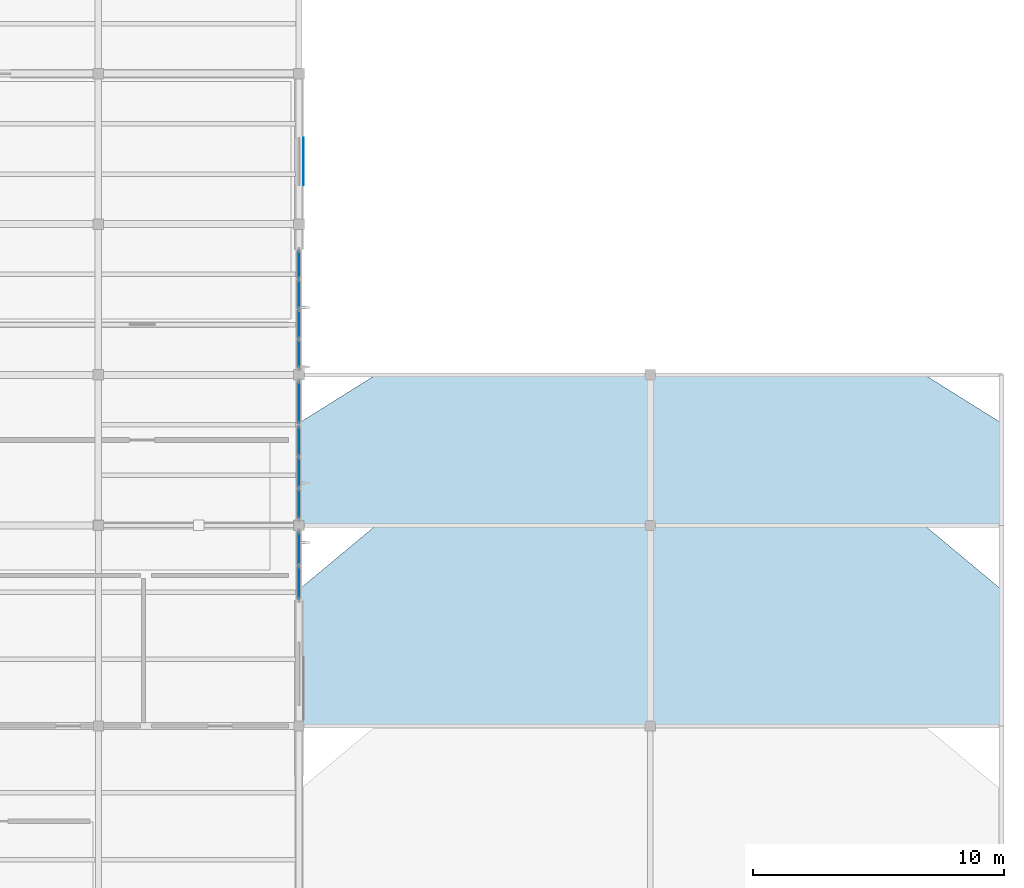
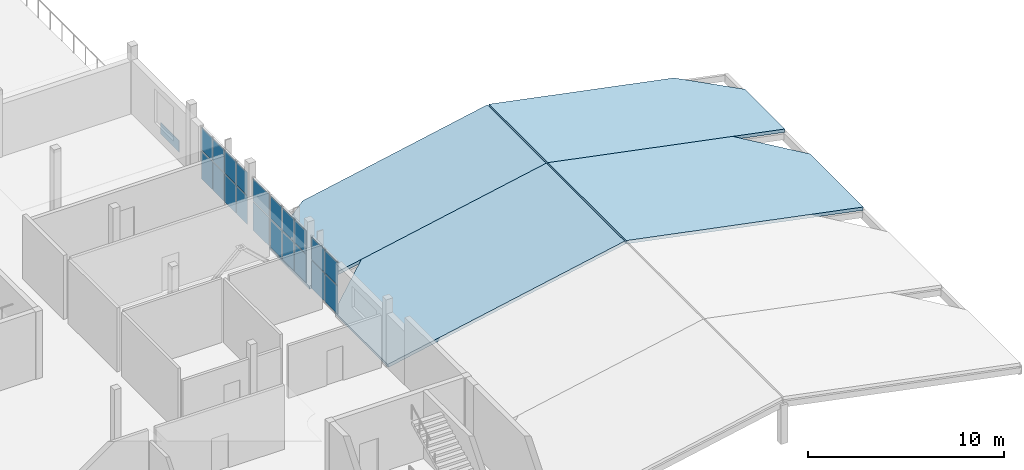
# One storey, part 31 of 45: 21 plates, 4 slabs, 4 elements without a shape of their own.
"""IFC4 building model written with IfcOpenShell, lengths in metres."""

from ifc_helpers import new_model, si_unit, direction, frame, origin, origin_2d, place, context, subcontext, project, spatial, polyline, rectangle, outline, extrude, material, layer, layer_set, type_object, element, aggregate, save


model = new_model("IFC4")

# Units and contexts
model_context = context("Model", 3, precision=1e-05, world=origin(), true_north=direction((0.0, 1.0)))
body_context = subcontext(model_context, "Body", "Model", "MODEL_VIEW")
ifc_project = project(units=[si_unit("LENGTHUNIT", "METRE"), si_unit("AREAUNIT", "SQUARE_METRE"), si_unit("VOLUMEUNIT", "CUBIC_METRE"), si_unit("PLANEANGLEUNIT", "RADIAN"), si_unit("MASSUNIT", "GRAM", prefix="KILO")], contexts=[model_context])

# Site, building, storey
site_placement = place(None, origin())
site = spatial("IfcSite", under=ifc_project, at=site_placement, CompositionType="ELEMENT")
building_placement = place(site_placement, origin())
building = spatial("IfcBuilding", under=site, at=building_placement, Name="Solvane Community Centre", CompositionType="ELEMENT")
storey_placement = place(building_placement, frame((0.0, 0.0, 13.800048828125)))
storey = spatial("IfcBuildingStorey", under=building, at=storey_placement, Name="L03", CompositionType="ELEMENT", Elevation=13.800048828125)

# Plate
ifc_material_1 = material(Name="Anodised bronze aluminium AW-6063 T6", Category="aluminium")
ifc_layer_1 = layer(ifc_material_1, 0.02392578125)
ifc_layer_set_1 = layer_set([ifc_layer_1], Name="Anodised bronze aluminium AW-6063 T6")
plate_type_1 = type_object("IfcPlateType", Name="Bronze Spandrel Cassette 24mm", PredefinedType="SHEET", material=ifc_layer_set_1)
plate_1_placement = place(storey_placement, frame((140.18701171875, 44.5, 0.06005859375), z_axis=(0.0, 0.0, 1.0), x_axis=(0.0, -1.0, 0.0)))
element("IfcPlate", 1, at=plate_1_placement, inside=storey, type_object=plate_type_1, Name="Art Deco Spandrel SPC-L03-048", PredefinedType="SHEET", context=body_context, shape_type="SweptSolid", body=[
    extrude(rectangle(XDim=1.89990234375, YDim=0.02392578125, at=origin_2d()), origin(), (0.0, 0.0, 1.0), 0.719970703125),
])

# Curtain wall, plates
ifc_layer_2 = layer(ifc_material_1, 0.199951171875)
ifc_layer_set_2 = layer_set([ifc_layer_2], Name="Anodised bronze aluminium AW-6063 T6")
curtain_wall_type_1 = type_object("IfcCurtainWallType", Name="Courtyard Cloister Curtain Wall [18x33dm]", PredefinedType="NOTDEFINED", material=ifc_layer_set_2)
curtain_wall_1_placement = place(storey_placement, origin())
curtain_wall_1 = element("IfcCurtainWall", 2, at=curtain_wall_1_placement, inside=storey, type_object=curtain_wall_type_1, Name="Curtain Wall CW-L03-1400_358-228", PredefinedType="NOTDEFINED")
ifc_material_2 = material(Name="Tempered low-E double glazing", Category="glass")
ifc_layer_3 = layer(ifc_material_2, 0.028076171875)
ifc_layer_set_3 = layer_set([ifc_layer_3], Name="Tempered low-E double glazing")
plate_type_2 = type_object("IfcPlateType", Name="Cloister Vision Glazing Panel 28mm [18x33dm]", PredefinedType="CURTAIN_PANEL", material=ifc_layer_set_3)
plate_2_placement = place(storey_placement, frame((140.0, 34.887451171875, 0.06005859375), z_axis=(0.0, 0.0, 1.0), x_axis=(0.0, -1.0, 0.0)))
plate_2 = element("IfcPlate", 3, at=plate_2_placement, type_object=plate_type_2, Name="CW03-18x33 panel 1.1", PredefinedType="CURTAIN_PANEL", context=body_context, shape_type="SweptSolid", body=[
    extrude(rectangle(XDim=1.655029296875, YDim=0.028076171875, at=origin_2d()), origin(), (0.0, 0.0, 1.0), 1.75),
])
plate_3_placement = place(storey_placement, frame((140.0, 34.887451171875, 1.869873046875), z_axis=(0.0, 0.0, 1.0), x_axis=(0.0, -1.0, 0.0)))
plate_3 = element("IfcPlate", 4, at=plate_3_placement, type_object=plate_type_2, Name="CW03-18x33 panel 1.2", PredefinedType="CURTAIN_PANEL", context=body_context, shape_type="SweptSolid", body=[
    extrude(rectangle(XDim=1.655029296875, YDim=0.028076171875, at=origin_2d()), origin(), (0.0, 0.0, 1.0), 1.4150390625),
])
aggregate(curtain_wall_1, [plate_2, plate_3])

ifc_layer_4 = layer(ifc_material_1, 0.199951171875)
ifc_layer_set_4 = layer_set([ifc_layer_4], Name="Anodised bronze aluminium AW-6063 T6")
curtain_wall_type_2 = type_object("IfcCurtainWallType", Name="Courtyard Cloister Curtain Wall [28x33dm]", PredefinedType="NOTDEFINED", material=ifc_layer_set_4)
curtain_wall_2_placement = place(storey_placement, origin())
curtain_wall_2 = element("IfcCurtainWall", 5, at=curtain_wall_2_placement, inside=storey, type_object=curtain_wall_type_2, Name="Curtain Wall CW-L03-1400_298-230", PredefinedType="NOTDEFINED")
ifc_layer_5 = layer(ifc_material_2, 0.028076171875)
ifc_layer_set_5 = layer_set([ifc_layer_5], Name="Tempered low-E double glazing")
plate_type_3 = type_object("IfcPlateType", Name="Cloister Vision Glazing Panel 28mm [28x33dm]", PredefinedType="CURTAIN_PANEL", material=ifc_layer_set_5)
plate_4_placement = place(storey_placement, frame((140.0, 29.07373046875, 0.06005859375), z_axis=(0.0, 0.0, 1.0), x_axis=(0.0, -1.0, 0.0)))
plate_4 = element("IfcPlate", 6, at=plate_4_placement, type_object=plate_type_3, Name="CW03-28x33 panel 1.1", PredefinedType="CURTAIN_PANEL", context=body_context, shape_type="SweptSolid", body=[
    extrude(rectangle(XDim=1.302490234375, YDim=0.028076171875, at=origin_2d()), origin(), (0.0, 0.0, 1.0), 1.739013671875),
])
plate_5_placement = place(storey_placement, frame((140.0, 29.07373046875, 1.85888671875), z_axis=(0.0, 0.0, 1.0), x_axis=(0.0, -1.0, 0.0)))
plate_5 = element("IfcPlate", 7, at=plate_5_placement, type_object=plate_type_3, Name="CW03-28x33 panel 1.2", PredefinedType="CURTAIN_PANEL", context=body_context, shape_type="SweptSolid", body=[
    extrude(rectangle(XDim=1.302490234375, YDim=0.028076171875, at=origin_2d()), origin(), (0.0, 0.0, 1.0), 1.406005859375),
])
plate_6_placement = place(storey_placement, frame((140.0, 27.711181640625, 0.06005859375), z_axis=(0.0, 0.0, 1.0), x_axis=(0.0, -1.0, 0.0)))
plate_6 = element("IfcPlate", 8, at=plate_6_placement, type_object=plate_type_3, Name="CW03-28x33 panel 2.1", PredefinedType="CURTAIN_PANEL", context=body_context, shape_type="SweptSolid", body=[
    extrude(rectangle(XDim=1.302490234375, YDim=0.028076171875, at=origin_2d()), origin(), (0.0, 0.0, 1.0), 1.739013671875),
])
plate_7_placement = place(storey_placement, frame((140.0, 27.711181640625, 1.85888671875), z_axis=(0.0, 0.0, 1.0), x_axis=(0.0, -1.0, 0.0)))
plate_7 = element("IfcPlate", 9, at=plate_7_placement, type_object=plate_type_3, Name="CW03-28x33 panel 2.2", PredefinedType="CURTAIN_PANEL", context=body_context, shape_type="SweptSolid", body=[
    extrude(rectangle(XDim=1.302490234375, YDim=0.028076171875, at=origin_2d()), origin(), (0.0, 0.0, 1.0), 1.406005859375),
])
aggregate(curtain_wall_2, [plate_4, plate_5, plate_6, plate_7])

ifc_layer_6 = layer(ifc_material_1, 0.199951171875)
ifc_layer_set_6 = layer_set([ifc_layer_6], Name="Anodised bronze aluminium AW-6063 T6")
curtain_wall_type_3 = type_object("IfcCurtainWallType", Name="Courtyard Cloister Curtain Wall [38x33dm]", PredefinedType="NOTDEFINED", material=ifc_layer_set_6)
curtain_wall_3_placement = place(storey_placement, origin())
curtain_wall_3 = element("IfcCurtainWall", 10, at=curtain_wall_3_placement, inside=storey, type_object=curtain_wall_type_3, Name="Curtain Wall CW-L03-1400_340-229", PredefinedType="NOTDEFINED")
ifc_layer_7 = layer(ifc_material_2, 0.028076171875)
ifc_layer_set_7 = layer_set([ifc_layer_7], Name="Tempered low-E double glazing")
plate_type_4 = type_object("IfcPlateType", Name="Cloister Vision Glazing Panel 28mm [38x33dm]", PredefinedType="CURTAIN_PANEL", material=ifc_layer_set_7)
plate_8_placement = place(storey_placement, frame((140.0, 33.354248046875, 0.06005859375), z_axis=(0.0, 0.0, 1.0), x_axis=(0.0, -1.0, 0.0)))
plate_8 = element("IfcPlate", 11, at=plate_8_placement, type_object=plate_type_4, Name="CW03-38x33 panel 1.1", PredefinedType="CURTAIN_PANEL", context=body_context, shape_type="SweptSolid", body=[
    extrude(rectangle(XDim=1.171630859375, YDim=0.028076171875, at=origin_2d()), origin(), (0.0, 0.0, 1.0), 1.75),
])
plate_9_placement = place(storey_placement, frame((140.0, 33.354248046875, 1.869873046875), z_axis=(0.0, 0.0, 1.0), x_axis=(0.0, -1.0, 0.0)))
plate_9 = element("IfcPlate", 12, at=plate_9_placement, type_object=plate_type_4, Name="CW03-38x33 panel 1.2", PredefinedType="CURTAIN_PANEL", context=body_context, shape_type="SweptSolid", body=[
    extrude(rectangle(XDim=1.171630859375, YDim=0.028076171875, at=origin_2d()), origin(), (0.0, 0.0, 1.0), 1.4150390625),
])
plate_10_placement = place(storey_placement, frame((140.0, 32.107421875, 0.06005859375), z_axis=(0.0, 0.0, 1.0), x_axis=(0.0, -1.0, 0.0)))
plate_10 = element("IfcPlate", 13, at=plate_10_placement, type_object=plate_type_4, Name="CW03-38x33 panel 2.1", PredefinedType="CURTAIN_PANEL", context=body_context, shape_type="SweptSolid", body=[
    extrude(rectangle(XDim=1.20166015625, YDim=0.028076171875, at=origin_2d()), origin(), (0.0, 0.0, 1.0), 1.75),
])
plate_11_placement = place(storey_placement, frame((140.0, 32.107421875, 1.869873046875), z_axis=(0.0, 0.0, 1.0), x_axis=(0.0, -1.0, 0.0)))
plate_11 = element("IfcPlate", 14, at=plate_11_placement, type_object=plate_type_4, Name="CW03-38x33 panel 2.2", PredefinedType="CURTAIN_PANEL", context=body_context, shape_type="SweptSolid", body=[
    extrude(rectangle(XDim=1.20166015625, YDim=0.028076171875, at=origin_2d()), origin(), (0.0, 0.0, 1.0), 1.4150390625),
])
plate_12_placement = place(storey_placement, frame((140.0, 30.86083984375, 0.06005859375), z_axis=(0.0, 0.0, 1.0), x_axis=(0.0, -1.0, 0.0)))
plate_12 = element("IfcPlate", 15, at=plate_12_placement, type_object=plate_type_4, Name="CW03-38x33 panel 3.1", PredefinedType="CURTAIN_PANEL", context=body_context, shape_type="SweptSolid", body=[
    extrude(rectangle(XDim=1.171630859375, YDim=0.028076171875, at=origin_2d()), origin(), (0.0, 0.0, 1.0), 1.75),
])
plate_13_placement = place(storey_placement, frame((140.0, 30.86083984375, 1.869873046875), z_axis=(0.0, 0.0, 1.0), x_axis=(0.0, -1.0, 0.0)))
plate_13 = element("IfcPlate", 16, at=plate_13_placement, type_object=plate_type_4, Name="CW03-38x33 panel 3.2", PredefinedType="CURTAIN_PANEL", context=body_context, shape_type="SweptSolid", body=[
    extrude(rectangle(XDim=1.171630859375, YDim=0.028076171875, at=origin_2d()), origin(), (0.0, 0.0, 1.0), 1.4150390625),
])
aggregate(curtain_wall_3, [plate_8, plate_9, plate_10, plate_11, plate_12, plate_13])

ifc_layer_8 = layer(ifc_material_1, 0.199951171875)
ifc_layer_set_8 = layer_set([ifc_layer_8], Name="Anodised bronze aluminium AW-6063 T6")
curtain_wall_type_4 = type_object("IfcCurtainWallType", Name="Courtyard Cloister Curtain Wall [48x33dm]", PredefinedType="NOTDEFINED", material=ifc_layer_set_8)
curtain_wall_4_placement = place(storey_placement, origin())
curtain_wall_4 = element("IfcCurtainWall", 17, at=curtain_wall_4_placement, inside=storey, type_object=curtain_wall_type_4, Name="Curtain Wall CW-L03-1400_410-227", PredefinedType="NOTDEFINED")
ifc_layer_9 = layer(ifc_material_2, 0.028076171875)
ifc_layer_set_9 = layer_set([ifc_layer_9], Name="Tempered low-E double glazing")
plate_type_5 = type_object("IfcPlateType", Name="Cloister Vision Glazing Panel 28mm [48x33dm]", PredefinedType="CURTAIN_PANEL", material=ifc_layer_set_9)
plate_14_placement = place(storey_placement, frame((140.0, 40.38818359375, 0.06005859375), z_axis=(0.0, 0.0, 1.0), x_axis=(0.0, -1.0, 0.0)))
plate_14 = element("IfcPlate", 18, at=plate_14_placement, type_object=plate_type_5, Name="CW03-48x33 panel 1.1", PredefinedType="CURTAIN_PANEL", context=body_context, shape_type="SweptSolid", body=[
    extrude(rectangle(XDim=1.103759765625, YDim=0.028076171875, at=origin_2d()), origin(), (0.0, 0.0, 1.0), 1.75),
])
plate_15_placement = place(storey_placement, frame((140.0, 40.38818359375, 1.869873046875), z_axis=(0.0, 0.0, 1.0), x_axis=(0.0, -1.0, 0.0)))
plate_15 = element("IfcPlate", 19, at=plate_15_placement, type_object=plate_type_5, Name="CW03-48x33 panel 1.2", PredefinedType="CURTAIN_PANEL", context=body_context, shape_type="SweptSolid", body=[
    extrude(rectangle(XDim=1.103759765625, YDim=0.028076171875, at=origin_2d()), origin(), (0.0, 0.0, 1.0), 1.4150390625),
])
plate_16_placement = place(storey_placement, frame((140.0, 39.20947265625, 0.06005859375), z_axis=(0.0, 0.0, 1.0), x_axis=(0.0, -1.0, 0.0)))
plate_16 = element("IfcPlate", 20, at=plate_16_placement, type_object=plate_type_5, Name="CW03-48x33 panel 2.1", PredefinedType="CURTAIN_PANEL", context=body_context, shape_type="SweptSolid", body=[
    extrude(rectangle(XDim=1.1337890625, YDim=0.028076171875, at=origin_2d()), origin(), (0.0, 0.0, 1.0), 1.75),
])
plate_17_placement = place(storey_placement, frame((140.0, 39.20947265625, 1.869873046875), z_axis=(0.0, 0.0, 1.0), x_axis=(0.0, -1.0, 0.0)))
plate_17 = element("IfcPlate", 21, at=plate_17_placement, type_object=plate_type_5, Name="CW03-48x33 panel 2.2", PredefinedType="CURTAIN_PANEL", context=body_context, shape_type="SweptSolid", body=[
    extrude(rectangle(XDim=1.1337890625, YDim=0.028076171875, at=origin_2d()), origin(), (0.0, 0.0, 1.0), 1.4150390625),
])
plate_18_placement = place(storey_placement, frame((140.0, 38.015625, 0.06005859375), z_axis=(0.0, 0.0, 1.0), x_axis=(0.0, -1.0, 0.0)))
plate_18 = element("IfcPlate", 22, at=plate_18_placement, type_object=plate_type_5, Name="CW03-48x33 panel 3.1", PredefinedType="CURTAIN_PANEL", context=body_context, shape_type="SweptSolid", body=[
    extrude(rectangle(XDim=1.1337890625, YDim=0.028076171875, at=origin_2d()), origin(), (0.0, 0.0, 1.0), 1.75),
])
plate_19_placement = place(storey_placement, frame((140.0, 38.015625, 1.869873046875), z_axis=(0.0, 0.0, 1.0), x_axis=(0.0, -1.0, 0.0)))
plate_19 = element("IfcPlate", 23, at=plate_19_placement, type_object=plate_type_5, Name="CW03-48x33 panel 3.2", PredefinedType="CURTAIN_PANEL", context=body_context, shape_type="SweptSolid", body=[
    extrude(rectangle(XDim=1.1337890625, YDim=0.028076171875, at=origin_2d()), origin(), (0.0, 0.0, 1.0), 1.4150390625),
])
plate_20_placement = place(storey_placement, frame((140.0, 36.8369140625, 0.06005859375), z_axis=(0.0, 0.0, 1.0), x_axis=(0.0, -1.0, 0.0)))
plate_20 = element("IfcPlate", 24, at=plate_20_placement, type_object=plate_type_5, Name="CW03-48x33 panel 4.1", PredefinedType="CURTAIN_PANEL", context=body_context, shape_type="SweptSolid", body=[
    extrude(rectangle(XDim=1.103759765625, YDim=0.028076171875, at=origin_2d()), origin(), (0.0, 0.0, 1.0), 1.75),
])
plate_21_placement = place(storey_placement, frame((140.0, 36.8369140625, 1.869873046875), z_axis=(0.0, 0.0, 1.0), x_axis=(0.0, -1.0, 0.0)))
plate_21 = element("IfcPlate", 25, at=plate_21_placement, type_object=plate_type_5, Name="CW03-48x33 panel 4.2", PredefinedType="CURTAIN_PANEL", context=body_context, shape_type="SweptSolid", body=[
    extrude(rectangle(XDim=1.103759765625, YDim=0.028076171875, at=origin_2d()), origin(), (0.0, 0.0, 1.0), 1.4150390625),
])
aggregate(curtain_wall_4, [plate_14, plate_15, plate_16, plate_17, plate_18, plate_19, plate_20, plate_21])

# Slabs
ifc_material_3 = material(Name="Cross-laminated timber C24", Category="wood")
ifc_layer_10 = layer(ifc_material_3, 0.199951171875)
ifc_layer_set_10 = layer_set([ifc_layer_10], Name="Cross-laminated timber C24")
slab_type = type_object("IfcSlabType", Name="Insulated Pitched Roof Deck 200mm", PredefinedType="ROOF", material=ifc_layer_set_10)
slab_1_placement = place(storey_placement, frame((140.0, 22.0, 0.0), z_axis=(-0.19612010312, 3.784069e-06, 0.980579882079), x_axis=(0.980579882086, 3e-12, 0.196120103121)))
element("IfcSlab", 26, at=slab_1_placement, inside=storey, type_object=slab_type, Name="Pitched Roof SLB-PRF-V3-W3", PredefinedType="ROOF", context=body_context, shape_type="SweptSolid", body=[
    extrude(outline(polyline([(0.0, 0.0), (14.226224223871867, 1.6940658945086007e-21), (14.226224223892482, 7.999999999942722), (3.1298622160727123, 8.000000000163764), (1.4017567459911409e-11, 5.4399414062110525), (0.0, 0.0)])), origin(), (0.0, 0.0, -1.0), 0.199951171875),
])
slab_2_placement = place(storey_placement, frame((154.050048828125, 22.0, 2.7900390625), z_axis=(0.19612010312, 3.784069e-06, 0.980579882079), x_axis=(0.980579882086, -3e-12, -0.196120103121)))
element("IfcSlab", 27, at=slab_2_placement, inside=storey, type_object=slab_type, Name="Pitched Roof SLB-PRF-V3-E3", PredefinedType="ROOF", context=body_context, shape_type="SweptSolid", body=[
    extrude(outline(polyline([(0.0, 0.0), (14.226224223871867, -1.6940658945086007e-21), (14.22622422385785, 5.4399414062110525), (11.096362007799154, 8.000000000163766), (-2.061429182866785e-11, 7.999999999942723), (0.0, 0.0)])), origin(), (0.0, 0.0, -1.0), 0.199951171875),
])
slab_3_placement = place(storey_placement, frame((140.0, 30.0, 0.0), z_axis=(-0.196120103074, 5.045414e-06, 0.980579882082), x_axis=(0.980579882095, 3e-12, 0.196120103077)))
element("IfcSlab", 28, at=slab_3_placement, inside=storey, type_object=slab_type, Name="Pitched Roof SLB-PRF-V3-W4", PredefinedType="ROOF", context=body_context, shape_type="SweptSolid", body=[
    extrude(outline(polyline([(0.0, 0.0), (14.226224223871867, 0.0), (14.22622422389248, 5.999999999923631), (3.1298622160727136, 6.000000000218353), (1.4017030608820562e-11, 4.080078124948068), (0.0, 0.0)])), origin(), (0.0, 0.0, -1.0), 0.199951171875),
])
slab_4_placement = place(storey_placement, frame((154.050048828125, 30.0, 2.7900390625), z_axis=(0.196120103074, 5.045414e-06, 0.980579882082), x_axis=(0.980579882095, -3e-12, -0.196120103077)))
element("IfcSlab", 29, at=slab_4_placement, inside=storey, type_object=slab_type, Name="Pitched Roof SLB-PRF-V3-E4", PredefinedType="ROOF", context=body_context, shape_type="SweptSolid", body=[
    extrude(outline(polyline([(0.0, 0.0), (14.226224223871867, 0.0), (14.22622422385785, 4.080078124948068), (11.096362007799154, 6.0000000002183524), (-2.0612885605694956e-11, 5.999999999923631), (0.0, 0.0)])), origin(), (0.0, 0.0, -1.0), 0.199951171875),
])

save(model, "model.ifc")
